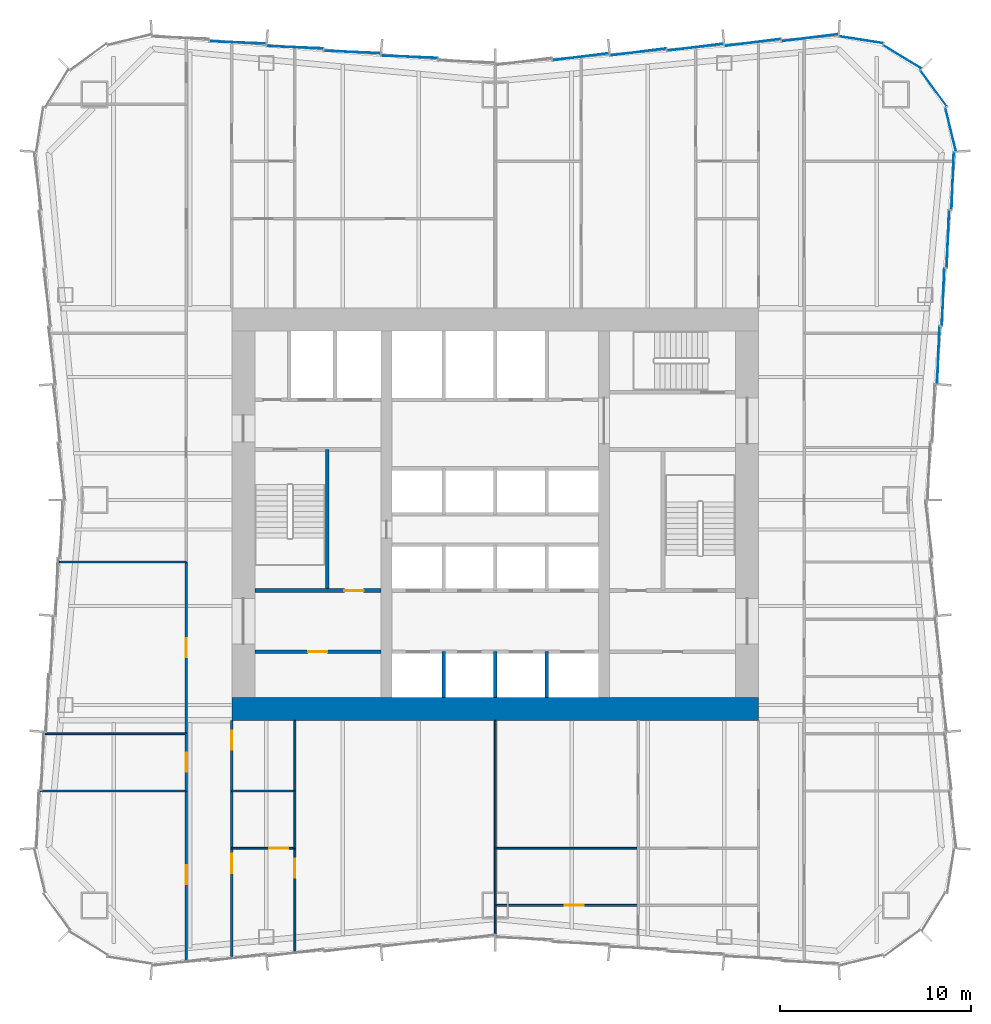
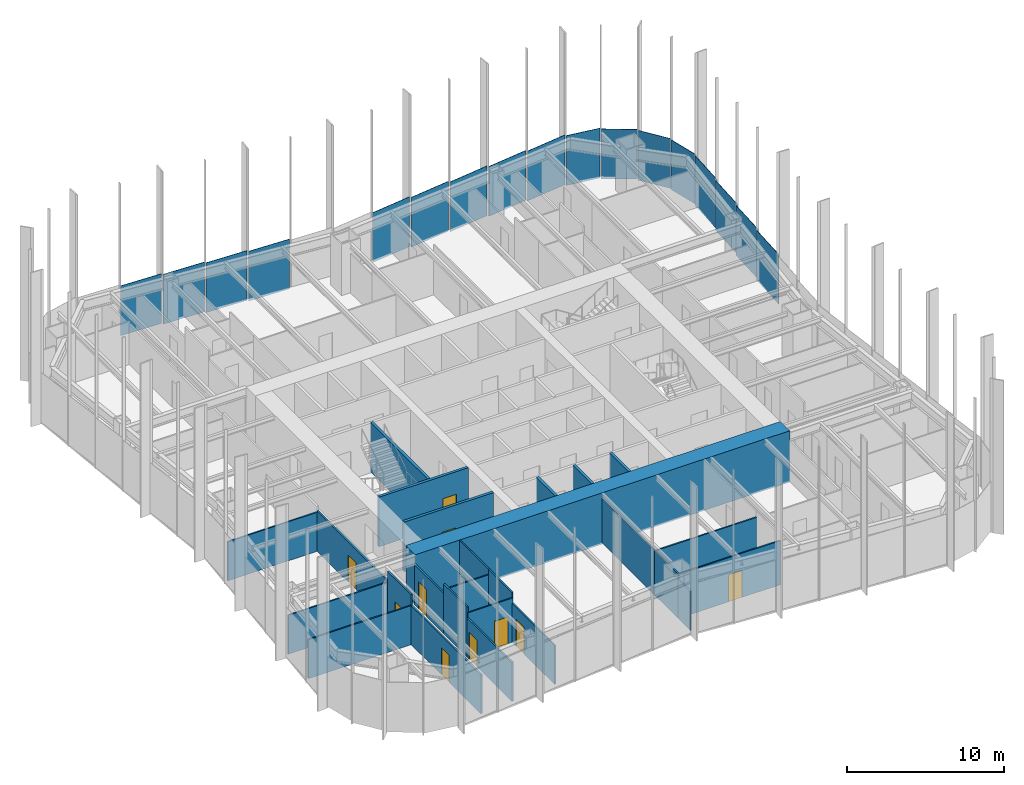
# One storey, part 8 of 13: 26 walls, 17 plates, 10 doors, 10 openings, 3 elements without a shape of their own.
"""IFC4 building model written with IfcOpenShell, lengths in metres."""

from ifc_helpers import new_model, si_unit, direction, frame, frame_2d, origin, origin_2d, place, context, subcontext, project, spatial, rectangle, extrude, material, layer, layer_set, type_object, element, fill, aggregate, save


model = new_model("IFC4")

# Units and contexts
model_context = context("Model", 3, precision=1e-05, world=origin(), true_north=direction((0.0, 1.0)))
body_context = subcontext(model_context, "Body", "Model", "MODEL_VIEW")
ifc_project = project(units=[si_unit("LENGTHUNIT", "METRE"), si_unit("AREAUNIT", "SQUARE_METRE"), si_unit("VOLUMEUNIT", "CUBIC_METRE"), si_unit("PLANEANGLEUNIT", "RADIAN"), si_unit("MASSUNIT", "GRAM", prefix="KILO")], contexts=[model_context])

# Site, building, storey
site_placement = place(None, origin())
site = spatial("IfcSite", under=ifc_project, at=site_placement, CompositionType="ELEMENT")
building_placement = place(site_placement, origin())
building = spatial("IfcBuilding", under=site, at=building_placement, Name="Verdant Reach Tower", CompositionType="ELEMENT")
storey_placement = place(building_placement, frame((0.0, 0.0, 82.0)))
storey = spatial("IfcBuildingStorey", under=building, at=storey_placement, Name="L18", CompositionType="ELEMENT", Elevation=82.0)

# Curtain wall, plates
ifc_material_1 = material(Name="Anodised aluminium", Category="aluminium")
curtain_wall_type = type_object("IfcCurtainWallType", Name="EN-CW SYSTEM Z1", PredefinedType="NOTDEFINED", material=ifc_material_1)
curtain_wall_1_placement = place(storey_placement, origin())
curtain_wall_1 = element("IfcCurtainWall", 1, at=curtain_wall_1_placement, inside=storey, type_object=curtain_wall_type, Name="Curtain wall north, L18", PredefinedType="NOTDEFINED")
ifc_material_2 = material(Name="Tinted glass with champagne spandrel", Category="glass")
ifc_layer_1 = layer(ifc_material_2, 0.031982421875)
ifc_layer_set_1 = layer_set([ifc_layer_1], Name="EN-PANEL CHAMPAGNE")
plate_type_1 = type_object("IfcPlateType", Name="EN-PANEL CHAMPAGNE", PredefinedType="CURTAIN_PANEL", material=ifc_layer_set_1)
plate_1_placement = place(storey_placement, frame((10.491455078125, 52.4775390625, -0.22802734375), z_axis=(0.0, 0.0, 1.0), x_axis=(-0.992194034542, -0.124703639961, 0.0)))
plate_1 = element("IfcPlate", 2, at=plate_1_placement, type_object=plate_type_1, Name="Glass panel north face part 1 3.1, L18", PredefinedType="CURTAIN_PANEL", context=body_context, shape_type="SweptSolid", body=[
    extrude(rectangle(XDim=2.952392578125, YDim=0.031982421875, at=origin_2d()), origin(), (0.0, 0.0, 1.0), 3.8779296875),
])
plate_2_placement = place(storey_placement, frame((7.491455078125, 52.2275390625, -0.22802734375), z_axis=(0.0, 0.0, 1.0), x_axis=(-0.992194034542, -0.124703639961, 0.0)))
plate_2 = element("IfcPlate", 3, at=plate_2_placement, type_object=plate_type_1, Name="Glass panel north face part 1 4.1, L18", PredefinedType="CURTAIN_PANEL", context=body_context, shape_type="SweptSolid", body=[
    extrude(rectangle(XDim=2.952392578125, YDim=0.031982421875, at=origin_2d()), origin(), (0.0, 0.0, 1.0), 3.8779296875),
])
plate_3_placement = place(storey_placement, frame((4.491455078125, 51.9775390625, -0.22802734375), z_axis=(0.0, 0.0, 1.0), x_axis=(-0.992194034542, -0.124703639961, 0.0)))
plate_3 = element("IfcPlate", 4, at=plate_3_placement, type_object=plate_type_1, Name="Glass panel north face part 1 5.1, L18", PredefinedType="CURTAIN_PANEL", context=body_context, shape_type="SweptSolid", body=[
    extrude(rectangle(XDim=2.952392578125, YDim=0.031982421875, at=origin_2d()), origin(), (0.0, 0.0, 1.0), 3.8779296875),
])
plate_4_placement = place(storey_placement, frame((-13.491455078125, 52.7275390625, -0.22802734375), z_axis=(0.0, 0.0, 1.0), x_axis=(-0.999149202059, 0.041241629766, 0.0)))
plate_4 = element("IfcPlate", 5, at=plate_4_placement, type_object=plate_type_1, Name="Glass panel north face part 2 5.1, L18", PredefinedType="CURTAIN_PANEL", context=body_context, shape_type="SweptSolid", body=[
    extrude(rectangle(XDim=2.952392578125, YDim=0.031982421875, at=origin_2d()), origin(), (0.0, 0.0, 1.0), 3.8779296875),
])

# Curtain wall, plate
curtain_wall_2_placement = place(storey_placement, origin())
curtain_wall_2 = element("IfcCurtainWall", 6, at=curtain_wall_2_placement, inside=storey, type_object=curtain_wall_type, Name="Curtain wall east, L18", PredefinedType="NOTDEFINED")
ifc_material_3 = material(Name="Tinted glass with copper spandrel", Category="glass")
ifc_layer_2 = layer(ifc_material_3, 0.031982421875)
ifc_layer_set_2 = layer_set([ifc_layer_2], Name="EN-PANEL COPPER")
plate_type_2 = type_object("IfcPlateType", Name="EN-PANEL COPPER", PredefinedType="CURTAIN_PANEL", material=ifc_layer_set_2)
plate_5_placement = place(storey_placement, frame((23.2275390625, 36.345703125, -0.22802734375), z_axis=(0.0, 0.0, 1.0), x_axis=(0.040108781752, 0.999195319057, 0.0)))
plate_5 = element("IfcPlate", 7, at=plate_5_placement, type_object=plate_type_2, Name="Glass panel east face part 2 3.1, L18", PredefinedType="CURTAIN_PANEL", context=body_context, shape_type="SweptSolid", body=[
    extrude(rectangle(XDim=2.993896484375, YDim=0.031982421875, at=origin_2d()), origin(), (0.0, 0.0, 1.0), 3.8779296875),
])

# Curtain wall, plates
curtain_wall_3_placement = place(storey_placement, origin())
curtain_wall_3 = element("IfcCurtainWall", 8, at=curtain_wall_3_placement, inside=storey, type_object=curtain_wall_type, Name="Curtain wall north-east corner, L18", PredefinedType="NOTDEFINED")
plate_6_placement = place(storey_placement, frame((23.87060546875, 48.170654296875, -0.22802734375), z_axis=(0.0, 0.0, 1.0), x_axis=(-0.236383344544, 0.971659875894, 0.0)))
plate_6 = element("IfcPlate", 9, at=plate_6_placement, type_object=plate_type_2, Name="Glass panel north-east corner 1.1, L18", PredefinedType="CURTAIN_PANEL", context=body_context, shape_type="SweptSolid", body=[
    extrude(rectangle(XDim=2.3173828125, YDim=0.031982421875, at=origin_2d()), origin(), (0.0, 0.0, 1.0), 3.8779296875),
])
plate_7_placement = place(storey_placement, frame((22.97705078125, 50.325439453125, -0.22802734375), z_axis=(0.0, 0.0, 1.0), x_axis=(-0.589926768145, 0.807456753161, 0.0)))
plate_7 = element("IfcPlate", 10, at=plate_7_placement, type_object=plate_type_2, Name="Glass panel north-east corner 2.1, L18", PredefinedType="CURTAIN_PANEL", context=body_context, shape_type="SweptSolid", body=[
    extrude(rectangle(XDim=2.3232421875, YDim=0.031982421875, at=origin_2d()), origin(), (0.0, 0.0, 1.0), 3.8779296875),
])

# Plate
ifc_material_4 = material(Name="Tinted glass with dark bronze spandrel", Category="glass")
ifc_layer_3 = layer(ifc_material_4, 0.031982421875)
ifc_layer_set_3 = layer_set([ifc_layer_3], Name="EN-PANEL DARK")
plate_type_3 = type_object("IfcPlateType", Name="EN-PANEL DARK", PredefinedType="CURTAIN_PANEL", material=ifc_layer_set_3)
plate_8_placement = place(storey_placement, frame((23.4775390625, 39.387451171875, -0.22802734375), z_axis=(0.0, 0.0, 1.0), x_axis=(0.040108781752, 0.999195319057, 0.0)))
plate_8 = element("IfcPlate", 11, at=plate_8_placement, type_object=plate_type_3, Name="Glass panel east face part 2 4.1, L18", PredefinedType="CURTAIN_PANEL", context=body_context, shape_type="SweptSolid", body=[
    extrude(rectangle(XDim=2.993896484375, YDim=0.031982421875, at=origin_2d()), origin(), (0.0, 0.0, 1.0), 3.8779296875),
])

plate_9_placement = place(storey_placement, frame((23.7275390625, 42.428955078125, -0.22802734375), z_axis=(0.0, 0.0, 1.0), x_axis=(0.040108781752, 0.999195319057, 0.0)))
plate_9 = element("IfcPlate", 12, at=plate_9_placement, type_object=plate_type_3, Name="Glass panel east face part 2 5.1, L18", PredefinedType="CURTAIN_PANEL", context=body_context, shape_type="SweptSolid", body=[
    extrude(rectangle(XDim=2.993896484375, YDim=0.031982421875, at=origin_2d()), origin(), (0.0, 0.0, 1.0), 3.8779296875),
])

plate_10_placement = place(storey_placement, frame((23.977783203125, 45.477783203125, -0.22802734375), z_axis=(0.0, 0.0, 1.0), x_axis=(0.039784239139, 0.999208293759, 0.0)))
plate_10 = element("IfcPlate", 13, at=plate_10_placement, type_object=plate_type_3, Name="Glass panel east face part 2 6.1, L18", PredefinedType="CURTAIN_PANEL", context=body_context, shape_type="SweptSolid", body=[
    extrude(rectangle(XDim=3.00830078125, YDim=0.031982421875, at=origin_2d()), origin(), (0.0, 0.0, 1.0), 3.8779296875),
])

aggregate(curtain_wall_2, [plate_5, plate_8, plate_9, plate_10])

plate_11_placement = place(storey_placement, frame((21.325439453125, 51.97705078125, -0.22802734375), z_axis=(0.0, 0.0, 1.0), x_axis=(-0.85398868836, 0.520291572248, 0.0)))
plate_11 = element("IfcPlate", 14, at=plate_11_placement, type_object=plate_type_3, Name="Glass panel north-east corner 3.1, L18", PredefinedType="CURTAIN_PANEL", context=body_context, shape_type="SweptSolid", body=[
    extrude(rectangle(XDim=2.3232421875, YDim=0.031982421875, at=origin_2d()), origin(), (0.0, 0.0, 1.0), 3.8779296875),
])

plate_12_placement = place(storey_placement, frame((19.170654296875, 52.87060546875, -0.22802734375), z_axis=(0.0, 0.0, 1.0), x_axis=(-0.988032704995, 0.154244526195, 0.0)))
plate_12 = element("IfcPlate", 15, at=plate_12_placement, type_object=plate_type_3, Name="Glass panel north-east corner 4.1, L18", PredefinedType="CURTAIN_PANEL", context=body_context, shape_type="SweptSolid", body=[
    extrude(rectangle(XDim=2.317626953125, YDim=0.031982421875, at=origin_2d()), origin(), (0.0, 0.0, 1.0), 3.8779296875),
])

aggregate(curtain_wall_3, [plate_6, plate_7, plate_11, plate_12])

plate_13_placement = place(storey_placement, frame((16.49853515625, 52.977783203125, -0.22802734375), z_axis=(0.0, 0.0, 1.0), x_axis=(-0.99223537376, -0.124374286167, 0.0)))
plate_13 = element("IfcPlate", 16, at=plate_13_placement, type_object=plate_type_3, Name="Glass panel north face part 1 1.1, L18", PredefinedType="CURTAIN_PANEL", context=body_context, shape_type="SweptSolid", body=[
    extrude(rectangle(XDim=2.966796875, YDim=0.031982421875, at=origin_2d()), origin(), (0.0, 0.0, 1.0), 3.8779296875),
])

plate_14_placement = place(storey_placement, frame((13.491455078125, 52.7275390625, -0.22802734375), z_axis=(0.0, 0.0, 1.0), x_axis=(-0.992194034542, -0.124703639961, 0.0)))
plate_14 = element("IfcPlate", 17, at=plate_14_placement, type_object=plate_type_3, Name="Glass panel north face part 1 2.1, L18", PredefinedType="CURTAIN_PANEL", context=body_context, shape_type="SweptSolid", body=[
    extrude(rectangle(XDim=2.952392578125, YDim=0.031982421875, at=origin_2d()), origin(), (0.0, 0.0, 1.0), 3.8779296875),
])

plate_15_placement = place(storey_placement, frame((-4.491455078125, 51.9775390625, -0.22802734375), z_axis=(0.0, 0.0, 1.0), x_axis=(-0.999149202059, 0.041241629766, 0.0)))
plate_15 = element("IfcPlate", 18, at=plate_15_placement, type_object=plate_type_3, Name="Glass panel north face part 2 2.1, L18", PredefinedType="CURTAIN_PANEL", context=body_context, shape_type="SweptSolid", body=[
    extrude(rectangle(XDim=2.952392578125, YDim=0.031982421875, at=origin_2d()), origin(), (0.0, 0.0, 1.0), 3.8779296875),
])

plate_16_placement = place(storey_placement, frame((-7.491455078125, 52.2275390625, -0.22802734375), z_axis=(0.0, 0.0, 1.0), x_axis=(-0.999149202059, 0.041241629766, 0.0)))
plate_16 = element("IfcPlate", 19, at=plate_16_placement, type_object=plate_type_3, Name="Glass panel north face part 2 3.1, L18", PredefinedType="CURTAIN_PANEL", context=body_context, shape_type="SweptSolid", body=[
    extrude(rectangle(XDim=2.952392578125, YDim=0.031982421875, at=origin_2d()), origin(), (0.0, 0.0, 1.0), 3.8779296875),
])

plate_17_placement = place(storey_placement, frame((-10.491455078125, 52.4775390625, -0.22802734375), z_axis=(0.0, 0.0, 1.0), x_axis=(-0.999149202059, 0.041241629766, 0.0)))
plate_17 = element("IfcPlate", 20, at=plate_17_placement, type_object=plate_type_3, Name="Glass panel north face part 2 4.1, L18", PredefinedType="CURTAIN_PANEL", context=body_context, shape_type="SweptSolid", body=[
    extrude(rectangle(XDim=2.952392578125, YDim=0.031982421875, at=origin_2d()), origin(), (0.0, 0.0, 1.0), 3.8779296875),
])

aggregate(curtain_wall_1, [plate_13, plate_14, plate_1, plate_2, plate_3, plate_15, plate_16, plate_17, plate_4])

# Wall, opening, door
ifc_material_5 = material(Name="Gypsum board on steel studs", Category="steel")
ifc_layer_4 = layer(ifc_material_5, 0.199951171875)
ifc_layer_set_4 = layer_set([ifc_layer_4], Name="CO-WALL-ROOM")
wall_type_1 = type_object("IfcWallType", Name="CO-WALL-ROOM", PredefinedType="PARTITIONING", material=ifc_layer_set_4)
wall_1_placement = place(storey_placement, frame((-12.60009765625, 20.800048828125, 0.0), z_axis=(0.0, 0.0, 1.0), x_axis=(1.0, 0.0, 0.0)))
wall_1 = element("IfcWall", 21, at=wall_1_placement, inside=storey, type_object=wall_type_1, Name="Core partition, L18", PredefinedType="PARTITIONING", context=body_context, shape_type="SweptSolid", body=[
    extrude(rectangle(XDim=6.60009765625, YDim=0.199951171875, at=frame_2d((3.300048828125, 0.0))), origin(), (0.0, 0.0, 1.0), 3.8701171875),
])
opening_1_placement = place(wall_1_placement, frame((2.800048828125, 0.0, 0.0)))
opening_1 = element("IfcOpeningElement", 22, at=opening_1_placement, cuts=wall_1, Name="Opening CD", PredefinedType="OPENING", context=body_context, shape_type="SweptSolid", body=[
    extrude(rectangle(XDim=1.0, YDim=2.10009765625, at=frame_2d((0.5, 1.050048828125))), frame((0.0, 0.10986328125, 0.0), z_axis=(0.0, -1.0, 0.0), x_axis=(1.0, 0.0, 0.0)), (0.0, 0.0, 1.0), 0.219970703125),
])
ifc_material_6 = material(Name="Timber", Category="wood")
door_type_1 = type_object("IfcDoorType", Name="CO-DOOR-ROOM", OperationType="NOTDEFINED", PredefinedType="DOOR", material=ifc_material_6)
door_1_placement = place(opening_1_placement, origin())
door_1 = element("IfcDoor", 23, at=door_1_placement, inside=storey, type_object=door_type_1, Name="Core room door, L18", OperationType="SINGLE_SWING_LEFT", OverallHeight=2.10009765625, OverallWidth=1.0, PredefinedType="DOOR", context=body_context, shape_type="SweptSolid", body=[
    extrude(rectangle(XDim=1.0, YDim=2.10009765625, at=frame_2d((0.5, 1.050048828125))), frame((0.0, 0.02490234375, 0.0), z_axis=(0.0, -1.0, 0.0), x_axis=(1.0, 0.0, 0.0)), (0.0, 0.0, 1.0), 0.050048828125),
])
fill(opening_1, door_1)

# Walls
ifc_material_7 = material(Name="Concrete C40/50", Category="concrete")
ifc_layer_5 = layer(ifc_material_7, 0.199951171875)
ifc_layer_set_5 = layer_set([ifc_layer_5], Name="CO-WALL-SHAFT")
wall_type_2 = type_object("IfcWallType", Name="CO-WALL-SHAFT", PredefinedType="PARTITIONING", material=ifc_layer_set_5)
for number, where, z_axis, x_axis, name in (
    (24, (-2.699951171875, 18.39990234375, 0.0), (0.0, 0.0, 1.0), (0.0, 1.0, 0.0), "Lift shaft wall, L18"),
    (25, (0.0, 18.39990234375, 0.0), (0.0, 0.0, 1.0), (0.0, 1.0, 0.0), "Lift shaft wall, L18"),
    (26, (2.699951171875, 18.39990234375, 0.0), (0.0, 0.0, 1.0), (0.0, 1.0, 0.0), "Lift shaft wall, L18"),
):
    element("IfcWall", number, at=place(storey_placement, frame(where, z_axis=z_axis, x_axis=x_axis)), inside=storey, type_object=wall_type_2, Name=name, PredefinedType="PARTITIONING", context=body_context, shape_type="SweptSolid", body=[
        extrude(rectangle(XDim=2.400146484375, YDim=0.199951171875, at=frame_2d((1.2001953125, 0.0))), origin(), (0.0, 0.0, 1.0), 3.8701171875),
    ])

# Wall, opening, door
ifc_layer_6 = layer(ifc_material_7, 0.199951171875)
ifc_layer_set_6 = layer_set([ifc_layer_6], Name="CO-WALL-STAIR")
wall_type_3 = type_object("IfcWallType", Name="CO-WALL-STAIR", PredefinedType="PARTITIONING", material=ifc_layer_set_6)
wall_2_placement = place(storey_placement, frame((-12.60009765625, 24.0, 0.0), z_axis=(0.0, 0.0, 1.0), x_axis=(1.0, 0.0, 0.0)))
wall_2 = element("IfcWall", 27, at=wall_2_placement, inside=storey, type_object=wall_type_3, Name="Stair enclosure wall, L18", PredefinedType="PARTITIONING", context=body_context, shape_type="SweptSolid", body=[
    extrude(rectangle(XDim=6.60009765625, YDim=0.199951171875, at=frame_2d((3.300048828125, 0.0))), origin(), (0.0, 0.0, 1.0), 3.8701171875),
])
opening_2_placement = place(wall_2_placement, frame((4.699951171875, 0.0, 0.0)))
opening_2 = element("IfcOpeningElement", 28, at=opening_2_placement, cuts=wall_2, Name="Opening CD", PredefinedType="OPENING", context=body_context, shape_type="SweptSolid", body=[
    extrude(rectangle(XDim=1.0, YDim=2.10009765625, at=frame_2d((0.5, 1.050048828125))), frame((0.0, 0.10986328125, 0.0), z_axis=(0.0, -1.0, 0.0), x_axis=(1.0, 0.0, 0.0)), (0.0, 0.0, 1.0), 0.219970703125),
])
door_2_placement = place(opening_2_placement, origin())
door_2 = element("IfcDoor", 29, at=door_2_placement, inside=storey, type_object=door_type_1, Name="Core room door, L18", OperationType="SINGLE_SWING_RIGHT", OverallHeight=2.10009765625, OverallWidth=1.0, PredefinedType="DOOR", context=body_context, shape_type="SweptSolid", body=[
    extrude(rectangle(XDim=1.0, YDim=2.10009765625, at=frame_2d((0.5, 1.050048828125))), frame((0.0, 0.02490234375, 0.0), z_axis=(0.0, -1.0, 0.0), x_axis=(1.0, 0.0, 0.0)), (0.0, 0.0, 1.0), 0.050048828125),
])
fill(opening_2, door_2)

# Walls
wall_3_placement = place(storey_placement, frame((-8.800048828125, 24.0, 0.0), z_axis=(0.0, 0.0, 1.0), x_axis=(0.0, 1.0, 0.0)))
element("IfcWall", 30, at=wall_3_placement, inside=storey, type_object=wall_type_3, Name="Stair enclosure wall, L18", PredefinedType="PARTITIONING", context=body_context, shape_type="SweptSolid", body=[
    extrude(rectangle(XDim=7.39990234375, YDim=0.199951171875, at=frame_2d((3.699951171875, 0.0))), origin(), (0.0, 0.0, 1.0), 3.8701171875),
])
ifc_layer_7 = layer(ifc_material_5, 0.10009765625)
ifc_layer_set_7 = layer_set([ifc_layer_7], Name="FL-W1 Partition 100")
wall_type_4 = type_object("IfcWallType", Name="FL-W1 Partition 100", PredefinedType="PARTITIONING", material=ifc_layer_set_7)
wall_4_placement = place(storey_placement, frame((-16.199951171875, 13.5, 0.0), z_axis=(0.0, 0.0, 1.0), x_axis=(-1.0, 0.0, 0.0)))
element("IfcWall", 31, at=wall_4_placement, inside=storey, type_object=wall_type_4, Name="Partition 18.28", PredefinedType="PARTITIONING", context=body_context, shape_type="SweptSolid", body=[
    extrude(rectangle(XDim=7.633544921875, YDim=0.10009765625, at=frame_2d((3.81689453125, 0.0))), origin(), (0.0, 0.0, 1.0), 3.0400390625),
])
wall_5_placement = place(storey_placement, frame((-16.199951171875, 16.5, 0.0), z_axis=(0.0, 0.0, 1.0), x_axis=(-1.0, 0.0, 0.0)))
element("IfcWall", 32, at=wall_5_placement, inside=storey, type_object=wall_type_4, Name="Partition 18.29", PredefinedType="PARTITIONING", context=body_context, shape_type="SweptSolid", body=[
    extrude(rectangle(XDim=7.386962890625, YDim=0.10009765625, at=frame_2d((3.693359375, 0.0))), origin(), (0.0, 0.0, 1.0), 3.0400390625),
])
wall_6_placement = place(storey_placement, frame((-16.199951171875, 25.5, 0.0), z_axis=(0.0, 0.0, 1.0), x_axis=(-1.0, 0.0, 0.0)))
element("IfcWall", 33, at=wall_6_placement, inside=storey, type_object=wall_type_4, Name="Partition 18.30", PredefinedType="PARTITIONING", context=body_context, shape_type="SweptSolid", body=[
    extrude(rectangle(XDim=6.647216796875, YDim=0.10009765625, at=frame_2d((3.32373046875, 0.0))), origin(), (0.0, 0.0, 1.0), 3.0400390625),
])

# Wall, opening, door
wall_7_placement = place(storey_placement, frame((-13.800048828125, 10.5, 0.0), z_axis=(0.0, 0.0, 1.0), x_axis=(1.0, 0.0, 0.0)))
wall_7 = element("IfcWall", 34, at=wall_7_placement, inside=storey, type_object=wall_type_4, Name="Partition 18.41", PredefinedType="PARTITIONING", context=body_context, shape_type="SweptSolid", body=[
    extrude(rectangle(XDim=3.300048828125, YDim=0.10009765625, at=frame_2d((1.64990234375, 0.0))), origin(), (0.0, 0.0, 1.0), 3.43994140625),
])
opening_3_placement = place(wall_7_placement, frame((1.949951171875, 0.0, 0.0)))
opening_3 = element("IfcOpeningElement", 35, at=opening_3_placement, cuts=wall_7, Name="Opening D3", PredefinedType="OPENING", context=body_context, shape_type="SweptSolid", body=[
    extrude(rectangle(XDim=1.0, YDim=2.10009765625, at=frame_2d((0.5, 1.050048828125))), frame((0.0, 0.06005859375, 0.0), z_axis=(0.0, -1.0, 0.0), x_axis=(1.0, 0.0, 0.0)), (0.0, 0.0, 1.0), 0.1201171875),
])
ifc_material_8 = material(Name="Painted timber door leaf", Category="wood")
door_type_2 = type_object("IfcDoorType", Name="FL-D3 Door 1000x2100", OperationType="NOTDEFINED", PredefinedType="DOOR", material=ifc_material_8)
door_3_placement = place(opening_3_placement, origin())
door_3 = element("IfcDoor", 36, at=door_3_placement, inside=storey, type_object=door_type_2, Name="Door 18-023", OperationType="SINGLE_SWING_RIGHT", OverallHeight=2.10009765625, OverallWidth=1.0, PredefinedType="DOOR", context=body_context, shape_type="SweptSolid", body=[
    extrude(rectangle(XDim=1.0, YDim=2.10009765625, at=frame_2d((0.5, 1.050048828125))), frame((0.0, 0.02490234375, 0.0), z_axis=(0.0, -1.0, 0.0), x_axis=(1.0, 0.0, 0.0)), (0.0, 0.0, 1.0), 0.050048828125),
])
fill(opening_3, door_3)

wall_8_placement = place(storey_placement, frame((-10.5, 10.50390625, 0.0), z_axis=(0.0, 0.0, 1.0), x_axis=(0.0, -1.0, 0.0)))
wall_8 = element("IfcWall", 37, at=wall_8_placement, inside=storey, type_object=wall_type_4, Name="Partition 18.42", PredefinedType="PARTITIONING", context=body_context, shape_type="SweptSolid", body=[
    extrude(rectangle(XDim=5.458984375, YDim=0.10009765625, at=frame_2d((2.7294921875, 0.0))), origin(), (0.0, 0.0, 1.0), 3.0400390625),
])
opening_4_placement = place(wall_8_placement, frame((0.564453125, 0.0, 0.0)))
opening_4 = element("IfcOpeningElement", 38, at=opening_4_placement, cuts=wall_8, Name="Opening D3", PredefinedType="OPENING", context=body_context, shape_type="SweptSolid", body=[
    extrude(rectangle(XDim=1.0, YDim=2.10009765625, at=frame_2d((0.5, 1.050048828125))), frame((0.0, 0.06005859375, 0.0), z_axis=(0.0, -1.0, 0.0), x_axis=(1.0, 0.0, 0.0)), (0.0, 0.0, 1.0), 0.1201171875),
])
door_4_placement = place(opening_4_placement, origin())
door_4 = element("IfcDoor", 39, at=door_4_placement, inside=storey, type_object=door_type_2, Name="Door 18-024", OperationType="SINGLE_SWING_LEFT", OverallHeight=2.10009765625, OverallWidth=1.0, PredefinedType="DOOR", context=body_context, shape_type="SweptSolid", body=[
    extrude(rectangle(XDim=1.0, YDim=2.10009765625, at=frame_2d((0.5, 1.050048828125))), frame((0.0, 0.02490234375, 0.0), z_axis=(0.0, -1.0, 0.0), x_axis=(1.0, 0.0, 0.0)), (0.0, 0.0, 1.0), 0.050048828125),
])
fill(opening_4, door_4)

# Walls
wall_9_placement = place(storey_placement, frame((-10.5, 13.5, 0.0), z_axis=(0.0, 0.0, 1.0), x_axis=(-1.0, 0.0, 0.0)))
element("IfcWall", 40, at=wall_9_placement, inside=storey, type_object=wall_type_4, Name="Partition 18.43", PredefinedType="PARTITIONING", context=body_context, shape_type="SweptSolid", body=[
    extrude(rectangle(XDim=3.300048828125, YDim=0.10009765625, at=frame_2d((1.64990234375, 0.0))), origin(), (0.0, 0.0, 1.0), 3.43994140625),
])
wall_10_placement = place(storey_placement, frame((-10.5, 10.49609375, 0.0), z_axis=(0.0, 0.0, 1.0), x_axis=(0.0, 1.0, 0.0)))
element("IfcWall", 41, at=wall_10_placement, inside=storey, type_object=wall_type_4, Name="Partition 18.44", PredefinedType="PARTITIONING", context=body_context, shape_type="SweptSolid", body=[
    extrude(rectangle(XDim=3.0078125, YDim=0.10009765625, at=frame_2d((1.50390625, 0.0))), origin(), (0.0, 0.0, 1.0), 3.8701171875),
])
wall_11_placement = place(storey_placement, frame((-10.5, 13.49609375, 0.0), z_axis=(0.0, 0.0, 1.0), x_axis=(0.0, 1.0, 0.0)))
element("IfcWall", 42, at=wall_11_placement, inside=storey, type_object=wall_type_4, Name="Partition 18.45", PredefinedType="PARTITIONING", context=body_context, shape_type="SweptSolid", body=[
    extrude(rectangle(XDim=3.703857421875, YDim=0.10009765625, at=frame_2d((1.85205078125, 0.0))), origin(), (0.0, 0.0, 1.0), 3.8701171875),
])
wall_12_placement = place(storey_placement, frame((0.0, 5.919921875, 0.0), z_axis=(0.0, 0.0, 1.0), x_axis=(0.0, 1.0, 0.0)))
element("IfcWall", 43, at=wall_12_placement, inside=storey, type_object=wall_type_4, Name="Partition 18.46", PredefinedType="PARTITIONING", context=body_context, shape_type="SweptSolid", body=[
    extrude(rectangle(XDim=1.580078125, YDim=0.10009765625, at=frame_2d((0.7900390625, 0.0))), origin(), (0.0, 0.0, 1.0), 3.0400390625),
])
wall_13_placement = place(storey_placement, frame((0.0, 7.5, 0.0), z_axis=(0.0, 0.0, 1.0), x_axis=(0.0, 1.0, 0.0)))
element("IfcWall", 44, at=wall_13_placement, inside=storey, type_object=wall_type_4, Name="Partition 18.47", PredefinedType="PARTITIONING", context=body_context, shape_type="SweptSolid", body=[
    extrude(rectangle(XDim=3.0, YDim=0.10009765625, at=frame_2d((1.5, 0.0))), origin(), (0.0, 0.0, 1.0), 3.47998046875),
])
wall_14_placement = place(storey_placement, frame((0.0, 10.5, 0.0), z_axis=(0.0, 0.0, 1.0), x_axis=(0.0, 1.0, 0.0)))
element("IfcWall", 45, at=wall_14_placement, inside=storey, type_object=wall_type_4, Name="Partition 18.48", PredefinedType="PARTITIONING", context=body_context, shape_type="SweptSolid", body=[
    extrude(rectangle(XDim=6.699951171875, YDim=0.10009765625, at=frame_2d((3.35009765625, 0.0))), origin(), (0.0, 0.0, 1.0), 3.47998046875),
])

# Wall, opening, door
wall_15_placement = place(storey_placement, frame((0.0, 7.5, 0.0), z_axis=(0.0, 0.0, 1.0), x_axis=(1.0, 0.0, 0.0)))
wall_15 = element("IfcWall", 46, at=wall_15_placement, inside=storey, type_object=wall_type_4, Name="Partition 18.54", PredefinedType="PARTITIONING", context=body_context, shape_type="SweptSolid", body=[
    extrude(rectangle(XDim=7.5, YDim=0.10009765625, at=frame_2d((3.75, 0.0))), origin(), (0.0, 0.0, 1.0), 3.43994140625),
])
opening_5_placement = place(wall_15_placement, frame((3.64990234375, 0.0, 0.0)))
opening_5 = element("IfcOpeningElement", 47, at=opening_5_placement, cuts=wall_15, Name="Opening D3", PredefinedType="OPENING", context=body_context, shape_type="SweptSolid", body=[
    extrude(rectangle(XDim=1.0, YDim=2.10009765625, at=frame_2d((0.5, 1.050048828125))), frame((0.0, 0.06005859375, 0.0), z_axis=(0.0, -1.0, 0.0), x_axis=(1.0, 0.0, 0.0)), (0.0, 0.0, 1.0), 0.1201171875),
])
door_5_placement = place(opening_5_placement, origin())
door_5 = element("IfcDoor", 48, at=door_5_placement, inside=storey, type_object=door_type_2, Name="Door 18-028", OperationType="SINGLE_SWING_RIGHT", OverallHeight=2.10009765625, OverallWidth=1.0, PredefinedType="DOOR", context=body_context, shape_type="SweptSolid", body=[
    extrude(rectangle(XDim=1.0, YDim=2.10009765625, at=frame_2d((0.5, 1.050048828125))), frame((0.0, 0.02490234375, 0.0), z_axis=(0.0, -1.0, 0.0), x_axis=(1.0, 0.0, 0.0)), (0.0, 0.0, 1.0), 0.050048828125),
])
fill(opening_5, door_5)

# Wall
wall_16_placement = place(storey_placement, frame((7.5, 10.5, 0.0), z_axis=(0.0, 0.0, 1.0), x_axis=(-1.0, 0.0, 0.0)))
element("IfcWall", 49, at=wall_16_placement, inside=storey, type_object=wall_type_4, Name="Partition 18.55", PredefinedType="PARTITIONING", context=body_context, shape_type="SweptSolid", body=[
    extrude(rectangle(XDim=7.5, YDim=0.10009765625, at=frame_2d((3.75, 0.0))), origin(), (0.0, 0.0, 1.0), 3.43994140625),
])

# Wall, opening, door
ifc_material_9 = material(Name="Gypsum board on steel studs, fire rated", Category="steel")
ifc_layer_8 = layer(ifc_material_9, 0.125)
ifc_layer_set_8 = layer_set([ifc_layer_8], Name="FL-W2 Corridor wall 125")
wall_type_5 = type_object("IfcWallType", Name="FL-W2 Corridor wall 125", PredefinedType="PARTITIONING", material=ifc_layer_set_8)
wall_17_placement = place(storey_placement, frame((-16.199951171875, 4.570068359375, 0.0), z_axis=(0.0, 0.0, 1.0), x_axis=(0.0, 1.0, 0.0)))
wall_17 = element("IfcWall", 50, at=wall_17_placement, inside=storey, type_object=wall_type_5, Name="Partition 18.01", PredefinedType="PARTITIONING", context=body_context, shape_type="SweptSolid", body=[
    extrude(rectangle(XDim=8.929931640625, YDim=0.125, at=frame_2d((4.46484375, 0.0))), origin(), (0.0, 0.0, 1.0), 3.0400390625),
])
opening_6_placement = place(wall_17_placement, frame((4.030029296875, 0.0, 0.0)))
opening_6 = element("IfcOpeningElement", 51, at=opening_6_placement, cuts=wall_17, Name="Opening D2", PredefinedType="OPENING", context=body_context, shape_type="SweptSolid", body=[
    extrude(rectangle(XDim=1.0, YDim=2.10009765625, at=frame_2d((0.5, 1.050048828125))), frame((0.0, 0.072509765625, 0.0), z_axis=(0.0, -1.0, 0.0), x_axis=(1.0, 0.0, 0.0)), (0.0, 0.0, 1.0), 0.14501953125),
])
ifc_material_10 = material(Name="Timber door leaf, fire rated", Category="wood")
door_type_3 = type_object("IfcDoorType", Name="FL-D2 Entrance door 1000x2100 FD30", OperationType="NOTDEFINED", PredefinedType="DOOR", material=ifc_material_10)
door_6_placement = place(opening_6_placement, origin())
door_6 = element("IfcDoor", 52, at=door_6_placement, inside=storey, type_object=door_type_3, Name="Door 18-001", OperationType="SINGLE_SWING_RIGHT", OverallHeight=2.10009765625, OverallWidth=1.0, PredefinedType="DOOR", context=body_context, shape_type="SweptSolid", body=[
    extrude(rectangle(XDim=1.0, YDim=2.10009765625, at=frame_2d((0.5, 1.050048828125))), frame((0.0, 0.02490234375, 0.0), z_axis=(0.0, -1.0, 0.0), x_axis=(1.0, 0.0, 0.0)), (0.0, 0.0, 1.0), 0.050048828125),
])
fill(opening_6, door_6)

wall_18_placement = place(storey_placement, frame((-16.199951171875, 13.5, 0.0), z_axis=(0.0, 0.0, 1.0), x_axis=(0.0, 1.0, 0.0)))
wall_18 = element("IfcWall", 53, at=wall_18_placement, inside=storey, type_object=wall_type_5, Name="Partition 18.02", PredefinedType="PARTITIONING", context=body_context, shape_type="SweptSolid", body=[
    extrude(rectangle(XDim=3.0, YDim=0.125, at=frame_2d((1.5, 0.0))), origin(), (0.0, 0.0, 1.0), 3.8701171875),
])
opening_7_placement = place(wall_18_placement, frame((1.0, 0.0, 0.0)))
opening_7 = element("IfcOpeningElement", 54, at=opening_7_placement, cuts=wall_18, Name="Opening D2", PredefinedType="OPENING", context=body_context, shape_type="SweptSolid", body=[
    extrude(rectangle(XDim=1.0, YDim=2.10009765625, at=frame_2d((0.5, 1.050048828125))), frame((0.0, 0.072509765625, 0.0), z_axis=(0.0, -1.0, 0.0), x_axis=(1.0, 0.0, 0.0)), (0.0, 0.0, 1.0), 0.14501953125),
])
door_7_placement = place(opening_7_placement, origin())
door_7 = element("IfcDoor", 55, at=door_7_placement, inside=storey, type_object=door_type_3, Name="Door 18-002", OperationType="SINGLE_SWING_RIGHT", OverallHeight=2.10009765625, OverallWidth=1.0, PredefinedType="DOOR", context=body_context, shape_type="SweptSolid", body=[
    extrude(rectangle(XDim=1.0, YDim=2.10009765625, at=frame_2d((0.5, 1.050048828125))), frame((0.0, 0.02490234375, 0.0), z_axis=(0.0, -1.0, 0.0), x_axis=(1.0, 0.0, 0.0)), (0.0, 0.0, 1.0), 0.050048828125),
])
fill(opening_7, door_7)

wall_19_placement = place(storey_placement, frame((-16.199951171875, 16.5, 0.0), z_axis=(0.0, 0.0, 1.0), x_axis=(0.0, 1.0, 0.0)))
wall_19 = element("IfcWall", 56, at=wall_19_placement, inside=storey, type_object=wall_type_5, Name="Partition 18.03", PredefinedType="PARTITIONING", context=body_context, shape_type="SweptSolid", body=[
    extrude(rectangle(XDim=9.0, YDim=0.125, at=frame_2d((4.5, 0.0))), origin(), (0.0, 0.0, 1.0), 3.139892578125),
])
opening_8_placement = place(wall_19_placement, frame((4.0, 0.0, 0.0)))
opening_8 = element("IfcOpeningElement", 57, at=opening_8_placement, cuts=wall_19, Name="Opening D2", PredefinedType="OPENING", context=body_context, shape_type="SweptSolid", body=[
    extrude(rectangle(XDim=1.0, YDim=2.10009765625, at=frame_2d((0.5, 1.050048828125))), frame((0.0, 0.072509765625, 0.0), z_axis=(0.0, -1.0, 0.0), x_axis=(1.0, 0.0, 0.0)), (0.0, 0.0, 1.0), 0.14501953125),
])
door_8_placement = place(opening_8_placement, origin())
door_8 = element("IfcDoor", 58, at=door_8_placement, inside=storey, type_object=door_type_3, Name="Door 18-003", OperationType="SINGLE_SWING_LEFT", OverallHeight=2.10009765625, OverallWidth=1.0, PredefinedType="DOOR", context=body_context, shape_type="SweptSolid", body=[
    extrude(rectangle(XDim=1.0, YDim=2.10009765625, at=frame_2d((0.5, 1.050048828125))), frame((0.0, 0.02490234375, 0.0), z_axis=(0.0, -1.0, 0.0), x_axis=(1.0, 0.0, 0.0)), (0.0, 0.0, 1.0), 0.050048828125),
])
fill(opening_8, door_8)

wall_20_placement = place(storey_placement, frame((-13.800048828125, 10.5, 0.0), z_axis=(0.0, 0.0, 1.0), x_axis=(0.0, -1.0, 0.0)))
wall_20 = element("IfcWall", 59, at=wall_20_placement, inside=storey, type_object=wall_type_5, Name="Partition 18.07", PredefinedType="PARTITIONING", context=body_context, shape_type="SweptSolid", body=[
    extrude(rectangle(XDim=5.72998046875, YDim=0.125, at=frame_2d((2.864990234375, 0.0))), origin(), (0.0, 0.0, 1.0), 3.0400390625),
])
opening_9_placement = place(wall_20_placement, frame((0.2998046875, 0.0, 0.0)))
opening_9 = element("IfcOpeningElement", 60, at=opening_9_placement, cuts=wall_20, Name="Opening D2", PredefinedType="OPENING", context=body_context, shape_type="SweptSolid", body=[
    extrude(rectangle(XDim=1.0, YDim=2.10009765625, at=frame_2d((0.5, 1.050048828125))), frame((0.0, 0.072509765625, 0.0), z_axis=(0.0, -1.0, 0.0), x_axis=(1.0, 0.0, 0.0)), (0.0, 0.0, 1.0), 0.14501953125),
])
door_9_placement = place(opening_9_placement, origin())
door_9 = element("IfcDoor", 61, at=door_9_placement, inside=storey, type_object=door_type_3, Name="Door 18-007", OperationType="SINGLE_SWING_LEFT", OverallHeight=2.10009765625, OverallWidth=1.0, PredefinedType="DOOR", context=body_context, shape_type="SweptSolid", body=[
    extrude(rectangle(XDim=1.0, YDim=2.10009765625, at=frame_2d((0.5, 1.050048828125))), frame((0.0, 0.02490234375, 0.0), z_axis=(0.0, -1.0, 0.0), x_axis=(1.0, 0.0, 0.0)), (0.0, 0.0, 1.0), 0.050048828125),
])
fill(opening_9, door_9)

# Wall
wall_21_placement = place(storey_placement, frame((-13.800048828125, 10.5, 0.0), z_axis=(0.0, 0.0, 1.0), x_axis=(0.0, 1.0, 0.0)))
element("IfcWall", 62, at=wall_21_placement, inside=storey, type_object=wall_type_5, Name="Partition 18.08", PredefinedType="PARTITIONING", context=body_context, shape_type="SweptSolid", body=[
    extrude(rectangle(XDim=3.0, YDim=0.125, at=frame_2d((1.5, 0.0))), origin(), (0.0, 0.0, 1.0), 3.8701171875),
])

# Wall, opening, door
wall_22_placement = place(storey_placement, frame((-13.800048828125, 17.199951171875, 0.0), z_axis=(0.0, 0.0, 1.0), x_axis=(0.0, -1.0, 0.0)))
wall_22 = element("IfcWall", 63, at=wall_22_placement, inside=storey, type_object=wall_type_5, Name="Partition 18.09", PredefinedType="PARTITIONING", context=body_context, shape_type="SweptSolid", body=[
    extrude(rectangle(XDim=3.699951171875, YDim=0.125, at=frame_2d((1.85009765625, 0.0))), origin(), (0.0, 0.0, 1.0), 3.139892578125),
])
opening_10_placement = place(wall_22_placement, frame((0.550048828125, 0.0, 0.0)))
opening_10 = element("IfcOpeningElement", 64, at=opening_10_placement, cuts=wall_22, Name="Opening D2", PredefinedType="OPENING", context=body_context, shape_type="SweptSolid", body=[
    extrude(rectangle(XDim=1.0, YDim=2.10009765625, at=frame_2d((0.5, 1.050048828125))), frame((0.0, 0.072509765625, 0.0), z_axis=(0.0, -1.0, 0.0), x_axis=(1.0, 0.0, 0.0)), (0.0, 0.0, 1.0), 0.14501953125),
])
door_10_placement = place(opening_10_placement, origin())
door_10 = element("IfcDoor", 65, at=door_10_placement, inside=storey, type_object=door_type_3, Name="Door 18-008", OperationType="SINGLE_SWING_LEFT", OverallHeight=2.10009765625, OverallWidth=1.0, PredefinedType="DOOR", context=body_context, shape_type="SweptSolid", body=[
    extrude(rectangle(XDim=1.0, YDim=2.10009765625, at=frame_2d((0.5, 1.050048828125))), frame((0.0, 0.02490234375, 0.0), z_axis=(0.0, -1.0, 0.0), x_axis=(1.0, 0.0, 0.0)), (0.0, 0.0, 1.0), 0.050048828125),
])
fill(opening_10, door_10)

# Wall
ifc_material_11 = material(Name="Concrete C70/85", Category="concrete")
ifc_layer_9 = layer(ifc_material_11, 1.199951171875)
ifc_layer_set_9 = layer_set([ifc_layer_9], Name="ST-CORE-WALL-1200")
wall_type_6 = type_object("IfcWallType", Name="ST-CORE-WALL-1200", PredefinedType="SHEAR", material=ifc_layer_set_9)
wall_23_placement = place(storey_placement, frame((-13.800048828125, 17.800048828125, -0.1298828125), z_axis=(0.0, 0.0, 1.0), x_axis=(1.0, 0.0, 0.0)))
element("IfcWall", 66, at=wall_23_placement, inside=storey, type_object=wall_type_6, Name="Core wall S, L18", PredefinedType="SHEAR", context=body_context, shape_type="SweptSolid", body=[
    extrude(rectangle(XDim=27.60009765625, YDim=1.199951171875, at=frame_2d((13.800048828125, 0.0))), origin(), (0.0, 0.0, 1.0), 4.0),
])

save(model, "model.ifc")
